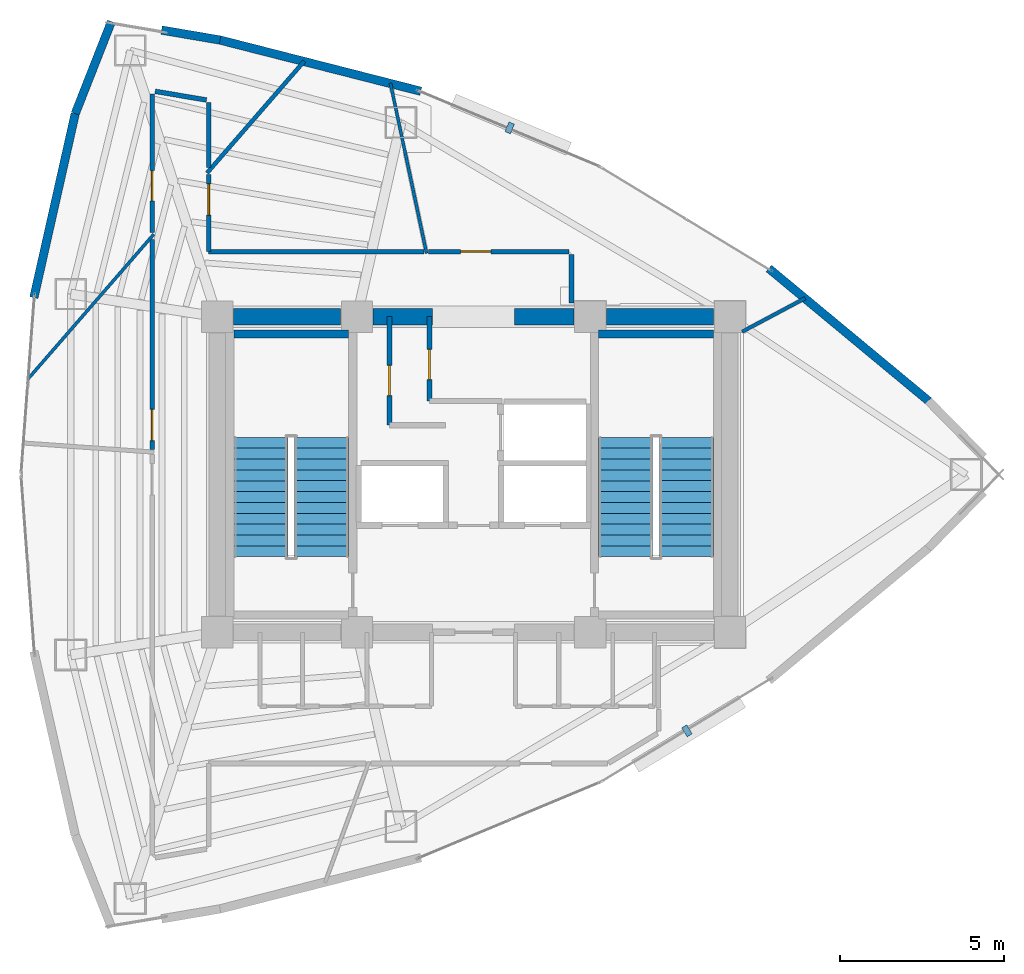
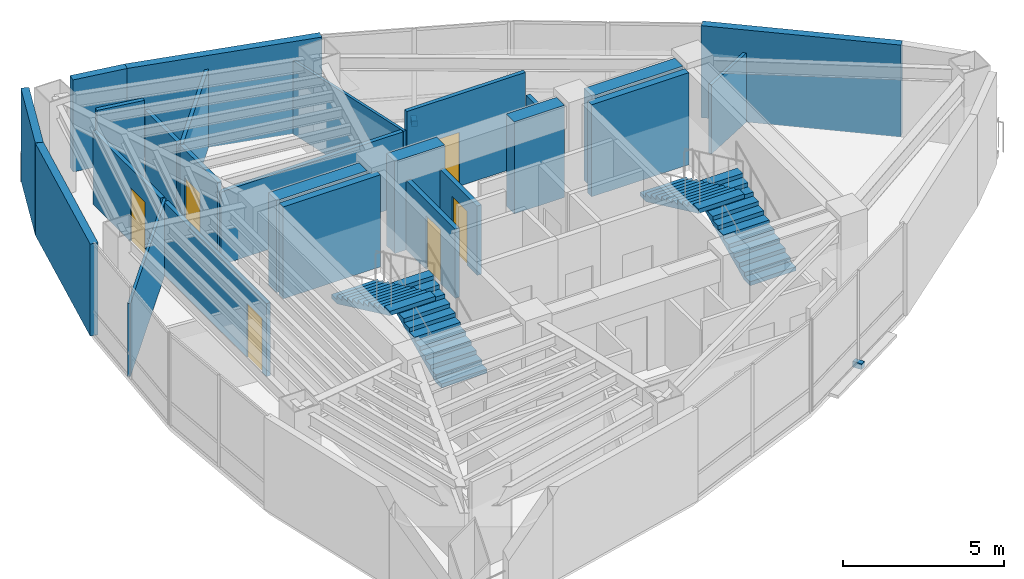
# One storey, part 13 of 15: 25 walls, 6 doors, 4 stair flights, 2 discrete accessories, 6 openings, 2 elements without a shape of their own.
"""IFC4 building model written with IfcOpenShell, lengths in metres."""

import ifcopenshell
import ifcopenshell.guid

model = None  # the IFC model being written
_history = None  # IfcOwnerHistory: only IFC2X3 demands one
_inside = {}  # id of a spatial element -> (the spatial element, [elements in it])
_under = {}  # id of a project, library or spatial element -> (it, [spatial elements below it])
_declared = {}  # id of a project -> (the project, [libraries it declares])
_typed = {}  # id of a type object -> (the type object, [elements of that type])
_made_of = {}  # id of a material, layer set ... -> (it, [elements and type objects made of it])


def new_model(schema):
    """Start an empty IFC model of exactly this schema.

    Asked for "IFC4X3", IfcOpenShell would pick the latest addendum, in which some entities
    have other attributes; the version numbers below select the first issue.
    IFC2X3 requires an IfcOwnerHistory on every rooted entity: one is made here for all.
    """
    global model, _history
    if schema == "IFC4X3":
        model = ifcopenshell.file(schema_version=(4, 3, 0, 0))
    else:
        model = ifcopenshell.file(schema=schema)
    _inside.clear()
    _under.clear()
    _declared.clear()
    _typed.clear()
    _made_of.clear()
    _history = None
    if model.schema == "IFC2X3":
        org = make("IfcOrganization", Name="unknown")
        user = make(
            "IfcPersonAndOrganization",
            ThePerson=make("IfcPerson", FamilyName="unknown"),
            TheOrganization=org,
        )
        app = make(
            "IfcApplication",
            ApplicationDeveloper=org,
            Version="unknown",
            ApplicationFullName="unknown",
            ApplicationIdentifier="unknown",
        )
        _history = make(
            "IfcOwnerHistory",
            OwningUser=user,
            OwningApplication=app,
            ChangeAction="ADDED",
            CreationDate=0,
        )
    return model


def make(cls, **values):
    """One entity of the class cls with the attributes given. An attribute that is None is left unset."""
    return model.create_entity(
        cls, **{name: value for name, value in values.items() if value is not None}
    )


def rooted(cls, **values):
    """An entity with a GlobalId (a new one), such as an element, a storey or a relation."""
    return make(cls, GlobalId=ifcopenshell.guid.new(), OwnerHistory=_history, **values)


def si_unit(unit_type, name, prefix=None):
    """IfcSIUnit, for example si_unit("LENGTHUNIT", "METRE", prefix="MILLI")."""
    return make("IfcSIUnit", UnitType=unit_type, Prefix=prefix, Name=name)


def assignment(units):
    """IfcUnitAssignment: the units of a project."""
    return None if units is None else make("IfcUnitAssignment", Units=units)


def point(xyz):
    """IfcCartesianPoint."""
    return None if xyz is None else make("IfcCartesianPoint", Coordinates=xyz)


def direction(xyz):
    """IfcDirection."""
    return None if xyz is None else make("IfcDirection", DirectionRatios=xyz)


def frame(location, z_axis=None, x_axis=None):
    """IfcAxis2Placement3D, a coordinate frame: its origin and axes. An axis left out is left unset."""
    return make(
        "IfcAxis2Placement3D",
        Location=point(location),
        Axis=direction(z_axis),
        RefDirection=direction(x_axis),
    )


def frame_2d(location, x_axis=None):
    """IfcAxis2Placement2D, a coordinate frame in the plane: its origin and x axis."""
    return make(
        "IfcAxis2Placement2D", Location=point(location), RefDirection=direction(x_axis)
    )


def origin():
    """The frame at (0, 0, 0) with its axes left unset."""
    return frame((0.0, 0.0, 0.0))


def origin_2d():
    """The frame at (0, 0) in the plane with its x axis left unset."""
    return frame_2d((0.0, 0.0))


def place(relative_to, where):
    """IfcLocalPlacement: puts the frame where relative to a parent placement (None: the world)."""
    return make(
        "IfcLocalPlacement", PlacementRelTo=relative_to, RelativePlacement=where
    )


def context(
    kind, dimensions, precision=None, world=None, true_north=None, identifier=None
):
    """IfcGeometricRepresentationContext, for example the 3D "Model" context."""
    return make(
        "IfcGeometricRepresentationContext",
        ContextIdentifier=identifier,
        ContextType=kind,
        CoordinateSpaceDimension=dimensions,
        Precision=precision,
        WorldCoordinateSystem=world,
        TrueNorth=true_north,
    )


def subcontext(parent, identifier, kind, view, scale=None):
    """IfcGeometricRepresentationSubContext, for example "Body" below "Model"."""
    return make(
        "IfcGeometricRepresentationSubContext",
        ContextIdentifier=identifier,
        ContextType=kind,
        ParentContext=parent,
        TargetScale=scale,
        TargetView=view,
    )


def project(units=None, contexts=None):
    """IfcProject with its units and contexts."""
    return rooted(
        "IfcProject",
        Name="project",
        RepresentationContexts=contexts,
        UnitsInContext=assignment(units),
    )


def spatial(cls, under=None, at=None, **own):
    """A site, building, storey or space (cls), placed at a placement, below another one or the project."""
    s = rooted(cls, ObjectPlacement=at, **own)
    if under is not None:
        _under.setdefault(under.id(), (under, []))[1].append(s)
    return s


def polyline(points):
    """IfcPolyline through the points."""
    return make("IfcPolyline", Points=[point(p) for p in points])


def profile(cls, at=None, kind="AREA", **sizes):
    """A parametric profile (cls). Its sizes go by their IFC names, for example OverallWidth=200.0."""
    return make(cls, ProfileType=kind, Position=at, **sizes)


def rectangle(**sizes):
    """IfcRectangleProfileDef."""
    return profile("IfcRectangleProfileDef", **sizes)


def outline(outer, holes=None, kind="AREA"):
    """IfcArbitraryClosedProfileDef: a profile drawn as a closed curve; with holes, ...WithVoids."""
    if holes is None:
        return make("IfcArbitraryClosedProfileDef", ProfileType=kind, OuterCurve=outer)
    return make(
        "IfcArbitraryProfileDefWithVoids",
        ProfileType=kind,
        OuterCurve=outer,
        InnerCurves=holes,
    )


def extrude(swept, where, along, depth):
    """IfcExtrudedAreaSolid: the profile swept, set in the frame where, extruded along a direction by depth."""
    return make(
        "IfcExtrudedAreaSolid",
        SweptArea=swept,
        Position=where,
        ExtrudedDirection=direction(along),
        Depth=depth,
    )


def shape(context_of_items, identifier, shape_type, items):
    """IfcShapeRepresentation: the items that make up one representation, for example the "Body"."""
    return make(
        "IfcShapeRepresentation",
        ContextOfItems=context_of_items,
        RepresentationIdentifier=identifier,
        RepresentationType=shape_type,
        Items=items,
    )


def material(Name=None, Category=None):
    """IfcMaterial."""
    return make("IfcMaterial", Name=Name, Category=Category)


def layer(
    of_material, thickness, ventilated=None, Name=None, Category=None, Priority=None
):
    """IfcMaterialLayer: one layer of a wall or slab, of a material (None: an air gap)."""
    return make(
        "IfcMaterialLayer",
        Material=of_material,
        LayerThickness=thickness,
        IsVentilated=ventilated,
        Name=Name,
        Category=Category,
        Priority=Priority,
    )


def layer_set(layers, Name=None):
    """IfcMaterialLayerSet."""
    return make("IfcMaterialLayerSet", MaterialLayers=layers, LayerSetName=Name)


def made_of(thing, what):
    """Note that an element or type object is made of a material, layer set ...; save() writes the relation."""
    if what is not None:
        _made_of.setdefault(what.id(), (what, []))[1].append(thing)
    return thing


def type_object(cls, material=None, **own):
    """A type object (cls), such as IfcWallType, which elements share."""
    return made_of(rooted(cls, **own), material)


def element(
    cls,
    number,
    at=None,
    inside=None,
    cuts=None,
    type_object=None,
    material=None,
    context=None,
    identifier="Body",
    shape_type=None,
    held_by="IfcProductDefinitionShape",
    body=None,
    shapes=None,
    **own,
):
    """One element of the class cls, such as IfcWall. Its Tag is "e" and its number.

    at: its placement. inside: the storey or other place that contains it. cuts: it is an
    opening in that element (IfcRelVoidsElement). A single representation is given by context,
    identifier, shape_type and body (its items); several are given by shapes. held_by: the class
    of the entity that holds the representations. save() writes the other relations.
    """
    e = rooted(cls, Tag="e%d" % number, ObjectPlacement=at, **own)
    if body is not None:
        shapes = [shape(context, identifier, shape_type, body)]
    if shapes is not None:
        e.Representation = make(held_by, Representations=shapes)
    if inside is not None:
        _inside.setdefault(inside.id(), (inside, []))[1].append(e)
    if cuts is not None:
        rooted(
            "IfcRelVoidsElement", RelatingBuildingElement=cuts, RelatedOpeningElement=e
        )
    if type_object is not None:
        _typed.setdefault(type_object.id(), (type_object, []))[1].append(e)
    return made_of(e, material)


def fill(opening, filler):
    """IfcRelFillsElement: the door or window that sits in an opening."""
    return rooted(
        "IfcRelFillsElement",
        RelatingOpeningElement=opening,
        RelatedBuildingElement=filler,
    )


def aggregate(whole, parts):
    """IfcRelAggregates: a whole, such as a stair, and the parts it consists of."""
    return rooted("IfcRelAggregates", RelatingObject=whole, RelatedObjects=parts)


def save(model, path):
    """Write the relations noted so far, then the file.

    IfcRelAggregates (storeys below a building ...), IfcRelContainedInSpatialStructure (elements
    in a storey), IfcRelDefinesByType, IfcRelAssociatesMaterial and IfcRelDeclares: one each for
    every whole, place, type object, material and project.
    """
    for whole, parts in _under.values():
        aggregate(whole, parts)
    for where, things in _inside.values():
        rooted(
            "IfcRelContainedInSpatialStructure",
            RelatedElements=things,
            RelatingStructure=where,
        )
    for kind, things in _typed.values():
        rooted("IfcRelDefinesByType", RelatedObjects=things, RelatingType=kind)
    for what, things in _made_of.values():
        rooted("IfcRelAssociatesMaterial", RelatedObjects=things, RelatingMaterial=what)
    for by, libraries in _declared.values():
        rooted("IfcRelDeclares", RelatingContext=by, RelatedDefinitions=libraries)
    model.write(path)


model = new_model("IFC4")

# Units and contexts
model_context = context("Model", 3, precision=1e-05, world=origin(), true_north=direction((0.0, 1.0)))
body_context = subcontext(model_context, "Body", "Model", "MODEL_VIEW")
ifc_project = project(units=[si_unit("LENGTHUNIT", "METRE"), si_unit("AREAUNIT", "SQUARE_METRE"), si_unit("VOLUMEUNIT", "CUBIC_METRE"), si_unit("PLANEANGLEUNIT", "RADIAN"), si_unit("MASSUNIT", "GRAM", prefix="KILO")], contexts=[model_context])

# Site, building, storey
site_placement = place(None, origin())
site = spatial("IfcSite", under=ifc_project, at=site_placement, CompositionType="ELEMENT")
building_placement = place(site_placement, origin())
building = spatial("IfcBuilding", under=site, at=building_placement, Name="Menara Vayukalpa", CompositionType="ELEMENT")
storey_placement = place(building_placement, frame((0.0, 0.0, 223.260009765625)))
storey = spatial("IfcBuildingStorey", under=building, at=storey_placement, Name="L56", CompositionType="ELEMENT", Elevation=223.260009765625)

# Walls
ifc_material_1 = material(Name="Concrete C60/75", Category="concrete")
ifc_layer_1 = layer(ifc_material_1, 0.5)
ifc_layer_set_1 = layer_set([ifc_layer_1], Name="Concrete C60/75")
wall_type_1 = type_object("IfcWallType", Name="WAL-CW500", PredefinedType="SHEAR", material=ifc_layer_set_1)
wall_1_placement = place(storey_placement, frame((18.294921875, 26.800048828125, 0.0), z_axis=(0.0, 0.0, 1.0), x_axis=(1.0, 0.0, 0.0)))
element("IfcWall", 1, at=wall_1_placement, inside=storey, type_object=wall_type_1, Name="L56 Buttressed Core Shear Wall CWN1", PredefinedType="SHEAR", context=body_context, shape_type="SweptSolid", body=[
    extrude(rectangle(XDim=3.260009765625, YDim=0.5, at=frame_2d((1.6298828125, 0.0))), origin(), (0.0, 0.0, 1.0), 3.5),
])
wall_2_placement = place(storey_placement, frame((22.544921875, 26.800048828125, 0.0), z_axis=(0.0, 0.0, 1.0), x_axis=(1.0, 0.0, 0.0)))
element("IfcWall", 2, at=wall_2_placement, inside=storey, type_object=wall_type_1, Name="L56 Buttressed Core Shear Wall CWN2", PredefinedType="SHEAR", context=body_context, shape_type="SweptSolid", body=[
    extrude(rectangle(XDim=1.80517578125, YDim=0.5, at=frame_2d((0.902587890625, 0.0))), origin(), (0.0, 0.0, 1.0), 3.5),
])
wall_3_placement = place(storey_placement, frame((26.85009765625, 26.800048828125, 0.0), z_axis=(0.0, 0.0, 1.0), x_axis=(1.0, 0.0, 0.0)))
element("IfcWall", 3, at=wall_3_placement, inside=storey, type_object=wall_type_1, Name="L56 Buttressed Core Shear Wall CWN3", PredefinedType="SHEAR", context=body_context, shape_type="SweptSolid", body=[
    extrude(rectangle(XDim=1.804931640625, YDim=0.5, at=frame_2d((0.90234375, 0.0))), origin(), (0.0, 0.0, 1.0), 3.5),
])
wall_4_placement = place(storey_placement, frame((29.64501953125, 26.800048828125, 0.0), z_axis=(0.0, 0.0, 1.0), x_axis=(1.0, 0.0, 0.0)))
element("IfcWall", 4, at=wall_4_placement, inside=storey, type_object=wall_type_1, Name="L56 Buttressed Core Shear Wall CWN4", PredefinedType="SHEAR", context=body_context, shape_type="SweptSolid", body=[
    extrude(rectangle(XDim=3.260009765625, YDim=0.5, at=frame_2d((1.6298828125, 0.0))), origin(), (0.0, 0.0, 1.0), 3.5),
])
ifc_material_2 = material(Name="Insulated Precast Concrete C40/50", Category="concrete")
ifc_layer_2 = layer(ifc_material_2, 0.260009765625)
ifc_layer_set_2 = layer_set([ifc_layer_2], Name="Insulated Precast Concrete C40/50")
wall_type_2 = type_object("IfcWallType", Name="WAL-EXT260", PredefinedType="PARTITIONING", material=ifc_layer_set_2)
wall_5_placement = place(storey_placement, frame((34.58251953125, 28.26953125, 0.0), z_axis=(0.0, 0.0, 1.0), x_axis=(0.769765373155, -0.638326930571, 0.0)))
element("IfcWall", 5, at=wall_5_placement, inside=storey, type_object=wall_type_2, Name="L56 Perimeter Terracotta Pier Wall 03", PredefinedType="PARTITIONING", context=body_context, shape_type="SweptSolid", body=[
    extrude(rectangle(XDim=6.3154296875, YDim=0.260009765625, at=frame_2d((3.15771484375, 0.0))), origin(), (0.0, 0.0, 1.0), 3.5),
])
wall_6_placement = place(storey_placement, frame((17.8759765625, 35.22216796875, 0.0), z_axis=(0.0, 0.0, 1.0), x_axis=(0.968976240439, -0.247153890246, 0.0)))
element("IfcWall", 6, at=wall_6_placement, inside=storey, type_object=wall_type_2, Name="L56 Perimeter Terracotta Pier Wall 06", PredefinedType="PARTITIONING", context=body_context, shape_type="SweptSolid", body=[
    extrude(rectangle(XDim=6.31494140625, YDim=0.260009765625, at=frame_2d((3.157470703125, 0.0))), origin(), (0.0, 0.0, 1.0), 3.5),
])
wall_7_placement = place(storey_placement, frame((16.10693359375, 35.52197265625, 0.0), z_axis=(0.0, 0.0, 1.0), x_axis=(0.985877723898, -0.167466753484, 0.0)))
element("IfcWall", 7, at=wall_7_placement, inside=storey, type_object=wall_type_2, Name="L56 Perimeter Terracotta Pier Wall 07", PredefinedType="PARTITIONING", context=body_context, shape_type="SweptSolid", body=[
    extrude(rectangle(XDim=1.80615234375, YDim=0.260009765625, at=frame_2d((0.903076171875, 0.0))), origin(), (0.0, 0.0, 1.0), 3.5),
])
wall_8_placement = place(storey_placement, frame((13.47900390625, 32.978515625, 0.0), z_axis=(0.0, 0.0, 1.0), x_axis=(0.365609724313, 0.930768246927, 0.0)))
element("IfcWall", 8, at=wall_8_placement, inside=storey, type_object=wall_type_2, Name="L56 Perimeter Terracotta Pier Wall 08", PredefinedType="PARTITIONING", context=body_context, shape_type="SweptSolid", body=[
    extrude(rectangle(XDim=3.010986328125, YDim=0.260009765625, at=frame_2d((1.50537109375, 0.0))), origin(), (0.0, 0.0, 1.0), 3.5),
])
wall_9_placement = place(storey_placement, frame((12.219970703125, 27.3818359375, 0.0), z_axis=(0.0, 0.0, 1.0), x_axis=(0.219475737697, 0.975617958303, 0.0)))
element("IfcWall", 9, at=wall_9_placement, inside=storey, type_object=wall_type_2, Name="L56 Perimeter Terracotta Pier Wall 09", PredefinedType="PARTITIONING", context=body_context, shape_type="SweptSolid", body=[
    extrude(rectangle(XDim=5.736572265625, YDim=0.260009765625, at=frame_2d((2.8681640625, 0.0))), origin(), (0.0, 0.0, 1.0), 3.5),
])

# Wall, opening, door
ifc_material_3 = material(Name="Lightweight Concrete Blockwork C16/20", Category="masonry")
ifc_layer_3 = layer(ifc_material_3, 0.159912109375)
ifc_layer_set_3 = layer_set([ifc_layer_3], Name="Lightweight Concrete Blockwork C16/20")
wall_type_3 = type_object("IfcWallType", Name="WAL-FR150", PredefinedType="PARTITIONING", material=ifc_layer_set_3)
wall_10_placement = place(storey_placement, frame((23.0400390625, 23.5, 0.0), z_axis=(0.0, 0.0, 1.0), x_axis=(0.0, 1.0, 0.0)))
wall_10 = element("IfcWall", 10, at=wall_10_placement, inside=storey, type_object=wall_type_3, Name="L56 Interior Partition IW-L56-LV7WB", PredefinedType="PARTITIONING", context=body_context, shape_type="SweptSolid", body=[
    extrude(rectangle(XDim=3.300048828125, YDim=0.159912109375, at=frame_2d((1.64990234375, 0.0))), origin(), (0.0, 0.0, 1.0), 2.6298828125),
])
opening_1_placement = place(wall_10_placement, frame((0.89990234375, 0.0, 0.0)))
opening_1 = element("IfcOpeningElement", 11, at=opening_1_placement, cuts=wall_10, Name="Opening ID6", PredefinedType="OPENING", context=body_context, shape_type="SweptSolid", body=[
    extrude(rectangle(XDim=0.919921875, YDim=2.050048828125, at=frame_2d((0.4599609375, 1.02490234375))), frame((0.0, 0.08984375, 0.0), z_axis=(0.0, -1.0, 0.0), x_axis=(1.0, 0.0, 0.0)), (0.0, 0.0, 1.0), 0.179931640625),
])
ifc_material_4 = material(Name="Acoustic Hardwood Veneer Timber Door", Category="wood")
door_type_1 = type_object("IfcDoorType", Name="DR-INT92", OperationType="NOTDEFINED", PredefinedType="DOOR", material=ifc_material_4)
door_1_placement = place(opening_1_placement, origin())
door_1 = element("IfcDoor", 12, at=door_1_placement, inside=storey, type_object=door_type_1, Name="L56 Interior Door DR-L56-LV7W", OperationType="SINGLE_SWING_RIGHT", OverallHeight=2.050048828125, OverallWidth=0.919921875, PredefinedType="DOOR", context=body_context, shape_type="SweptSolid", body=[
    extrude(rectangle(XDim=0.919921875, YDim=2.050048828125, at=frame_2d((0.4599609375, 1.02490234375))), frame((0.0, 0.02490234375, 0.0), z_axis=(0.0, -1.0, 0.0), x_axis=(1.0, 0.0, 0.0)), (0.0, 0.0, 1.0), 0.050048828125),
])
fill(opening_1, door_1)

wall_11_placement = place(storey_placement, frame((24.260009765625, 24.239990234375, 0.0), z_axis=(0.0, 0.0, 1.0), x_axis=(0.0, 1.0, 0.0)))
wall_11 = element("IfcWall", 13, at=wall_11_placement, inside=storey, type_object=wall_type_3, Name="L56 Interior Partition IW-L56-LV7EB", PredefinedType="PARTITIONING", context=body_context, shape_type="SweptSolid", body=[
    extrude(rectangle(XDim=2.56005859375, YDim=0.159912109375, at=frame_2d((1.280029296875, 0.0))), origin(), (0.0, 0.0, 1.0), 2.6298828125),
])
opening_2_placement = place(wall_11_placement, frame((0.64990234375, 0.0, 0.0)))
opening_2 = element("IfcOpeningElement", 14, at=opening_2_placement, cuts=wall_11, Name="Opening ID6", PredefinedType="OPENING", context=body_context, shape_type="SweptSolid", body=[
    extrude(rectangle(XDim=0.919921875, YDim=2.050048828125, at=frame_2d((0.4599609375, 1.02490234375))), frame((0.0, 0.08984375, 0.0), z_axis=(0.0, -1.0, 0.0), x_axis=(1.0, 0.0, 0.0)), (0.0, 0.0, 1.0), 0.179931640625),
])
door_2_placement = place(opening_2_placement, origin())
door_2 = element("IfcDoor", 15, at=door_2_placement, inside=storey, type_object=door_type_1, Name="L56 Interior Door DR-L56-LV7E", OperationType="SINGLE_SWING_LEFT", OverallHeight=2.050048828125, OverallWidth=0.919921875, PredefinedType="DOOR", context=body_context, shape_type="SweptSolid", body=[
    extrude(rectangle(XDim=0.919921875, YDim=2.050048828125, at=frame_2d((0.4599609375, 1.02490234375))), frame((0.0, 0.02490234375, 0.0), z_axis=(0.0, -1.0, 0.0), x_axis=(1.0, 0.0, 0.0)), (0.0, 0.0, 1.0), 0.050048828125),
])
fill(opening_2, door_2)

# Walls
ifc_material_5 = material(Name="Glazed Demountable Office Partition", Category="glass")
ifc_layer_4 = layer(ifc_material_5, 0.094970703125)
ifc_layer_set_4 = layer_set([ifc_layer_4], Name="Glazed Demountable Office Partition")
wall_type_4 = type_object("IfcWallType", Name="WAL-PT100", PredefinedType="PARTITIONING", material=ifc_layer_set_4)
wall_12_placement = place(storey_placement, frame((24.16943359375, 28.72998046875, 0.0), z_axis=(0.0, 0.0, 1.0), x_axis=(-0.207906743577, 0.978148652289, 0.0)))
element("IfcWall", 16, at=wall_12_placement, inside=storey, type_object=wall_type_4, Name="L56 Interior Partition IW-L56-RDIV02", PredefinedType="PARTITIONING", context=body_context, shape_type="SweptSolid", body=[
    extrude(rectangle(XDim=5.293701171875, YDim=0.094970703125, at=frame_2d((2.64697265625, 0.0))), origin(), (0.0, 0.0, 1.0), 2.780029296875),
])
wall_13_placement = place(storey_placement, frame((15.8701171875, 29.310302734375, 0.0), z_axis=(0.0, 0.0, 1.0), x_axis=(-0.656058606017, -0.754709947908, 0.0)))
element("IfcWall", 17, at=wall_13_placement, inside=storey, type_object=wall_type_4, Name="L56 Interior Partition IW-L56-RDIV06", PredefinedType="PARTITIONING", context=body_context, shape_type="SweptSolid", body=[
    extrude(rectangle(XDim=5.837890625, YDim=0.094970703125, at=frame_2d((2.9189453125, 0.0))), origin(), (0.0, 0.0, 1.0), 2.780029296875),
])
ifc_material_6 = material(Name="Acoustic Mineral Stud Partition", Category="masonry")
ifc_layer_5 = layer(ifc_material_6, 0.110107421875)
ifc_layer_set_5 = layer_set([ifc_layer_5], Name="Acoustic Mineral Stud Partition")
wall_type_5 = type_object("IfcWallType", Name="WAL-PT110", PredefinedType="PARTITIONING", material=ifc_layer_set_5)
wall_14_placement = place(storey_placement, frame((33.77001953125, 26.343994140625, 0.0), z_axis=(0.0, 0.0, 1.0), x_axis=(0.882914984083, 0.469532885837, 0.0)))
element("IfcWall", 18, at=wall_14_placement, inside=storey, type_object=wall_type_5, Name="L56 Interior Partition IW-L56-RDIV01", PredefinedType="PARTITIONING", context=body_context, shape_type="SweptSolid", body=[
    extrude(rectangle(XDim=2.174072265625, YDim=0.110107421875, at=frame_2d((1.0869140625, 0.0))), origin(), (0.0, 0.0, 1.0), 2.6298828125),
])
ifc_material_7 = material(Name="Gypsum Drywall Steel Stud Assembly", Category="steel")
ifc_layer_6 = layer(ifc_material_7, 0.125)
ifc_layer_set_6 = layer_set([ifc_layer_6], Name="Gypsum Drywall Steel Stud Assembly")
wall_type_6 = type_object("IfcWallType", Name="WAL-PT125", PredefinedType="PARTITIONING", material=ifc_layer_set_6)
wall_15_placement = place(storey_placement, frame((20.447998046875, 34.576416015625, 0.0), z_axis=(0.0, 0.0, 1.0), x_axis=(-0.656082183715, -0.754689451505, 0.0)))
element("IfcWall", 19, at=wall_15_placement, inside=storey, type_object=wall_type_6, Name="L56 Interior Partition IW-L56-RDIV05", PredefinedType="PARTITIONING", context=body_context, shape_type="SweptSolid", body=[
    extrude(rectangle(XDim=4.508544921875, YDim=0.125, at=frame_2d((2.25439453125, 0.0))), origin(), (0.0, 0.0, 1.0), 2.97998046875),
])
ifc_material_8 = material(Name="Gypsum Drywall Acoustic Stud Assembly", Category="masonry")
ifc_layer_7 = layer(ifc_material_8, 0.14501953125)
ifc_layer_set_7 = layer_set([ifc_layer_7], Name="Gypsum Drywall Acoustic Stud Assembly")
wall_type_7 = type_object("IfcWallType", Name="WAL-PT150", PredefinedType="PARTITIONING", material=ifc_layer_set_7)
wall_16_placement = place(storey_placement, frame((28.580078125, 27.219970703125, 0.0), z_axis=(0.0, 0.0, 1.0), x_axis=(0.0, 1.0, 0.0)))
element("IfcWall", 20, at=wall_16_placement, inside=storey, type_object=wall_type_7, Name="L56 Interior Partition IW-L56-CRM04-1", PredefinedType="PARTITIONING", context=body_context, shape_type="SweptSolid", body=[
    extrude(rectangle(XDim=1.47998046875, YDim=0.14501953125, at=frame_2d((0.739990234375, 0.0))), origin(), (0.0, 0.0, 1.0), 2.6298828125),
])

# Wall, opening, door
wall_17_placement = place(storey_placement, frame((28.5, 28.780029296875, 0.0), z_axis=(0.0, 0.0, 1.0), x_axis=(-1.0, 0.0, 0.0)))
wall_17 = element("IfcWall", 21, at=wall_17_placement, inside=storey, type_object=wall_type_7, Name="L56 Interior Partition IW-L56-CRM04-2", PredefinedType="PARTITIONING", context=body_context, shape_type="SweptSolid", body=[
    extrude(rectangle(XDim=4.26953125, YDim=0.14501953125, at=frame_2d((2.134765625, 0.0))), origin(), (0.0, 0.0, 1.0), 3.5),
])
opening_3_placement = place(wall_17_placement, frame((2.372314453125, 0.0, 0.0)))
opening_3 = element("IfcOpeningElement", 22, at=opening_3_placement, cuts=wall_17, Name="Opening ID6", PredefinedType="OPENING", context=body_context, shape_type="SweptSolid", body=[
    extrude(rectangle(XDim=0.919921875, YDim=2.050048828125, at=frame_2d((0.4599609375, 1.02490234375))), frame((0.0, 0.08251953125, 0.0), z_axis=(0.0, -1.0, 0.0), x_axis=(1.0, 0.0, 0.0)), (0.0, 0.0, 1.0), 0.1650390625),
])
door_3_placement = place(opening_3_placement, origin())
door_3 = element("IfcDoor", 23, at=door_3_placement, inside=storey, type_object=door_type_1, Name="L56 Interior Door DR-L56-RM04", OperationType="SINGLE_SWING_RIGHT", OverallHeight=2.050048828125, OverallWidth=0.919921875, PredefinedType="DOOR", context=body_context, shape_type="SweptSolid", body=[
    extrude(rectangle(XDim=0.919921875, YDim=2.050048828125, at=frame_2d((0.4599609375, 1.02490234375))), frame((0.0, 0.02490234375, 0.0), z_axis=(0.0, -1.0, 0.0), x_axis=(1.0, 0.0, 0.0)), (0.0, 0.0, 1.0), 0.050048828125),
])
fill(opening_3, door_3)

# Wall
wall_18_placement = place(storey_placement, frame((24.08740234375, 28.780029296875, 0.0), z_axis=(0.0, 0.0, 1.0), x_axis=(-1.0, 0.0, 0.0)))
element("IfcWall", 24, at=wall_18_placement, inside=storey, type_object=wall_type_7, Name="L56 Interior Partition IW-L56-CRM05-1", PredefinedType="PARTITIONING", context=body_context, shape_type="SweptSolid", body=[
    extrude(rectangle(XDim=6.54736328125, YDim=0.14501953125, at=frame_2d((3.273681640625, 0.0))), origin(), (0.0, 0.0, 1.0), 2.780029296875),
])

# Wall, opening, door
wall_19_placement = place(storey_placement, frame((17.5400390625, 28.780029296875, 0.0), z_axis=(0.0, 0.0, 1.0), x_axis=(0.0, 1.0, 0.0)))
wall_19 = element("IfcWall", 25, at=wall_19_placement, inside=storey, type_object=wall_type_7, Name="L56 Interior Partition IW-L56-CRM05-2", PredefinedType="PARTITIONING", context=body_context, shape_type="SweptSolid", body=[
    extrude(rectangle(XDim=2.344970703125, YDim=0.14501953125, at=frame_2d((1.17236328125, 0.0))), origin(), (0.0, 0.0, 1.0), 3.1298828125),
])
opening_4_placement = place(wall_19_placement, frame((1.114990234375, 0.0, 0.0)))
opening_4 = element("IfcOpeningElement", 26, at=opening_4_placement, cuts=wall_19, Name="Opening ID5", PredefinedType="OPENING", context=body_context, shape_type="SweptSolid", body=[
    extrude(rectangle(XDim=0.949951171875, YDim=2.06005859375, at=frame_2d((0.47509765625, 1.030029296875))), frame((0.0, 0.08251953125, 0.0), z_axis=(0.0, -1.0, 0.0), x_axis=(1.0, 0.0, 0.0)), (0.0, 0.0, 1.0), 0.1650390625),
])
ifc_material_9 = material(Name="Acoustic Hardwood Veneer Timber Door", Category="wood")
door_type_2 = type_object("IfcDoorType", Name="DR-INT95", OperationType="NOTDEFINED", PredefinedType="DOOR", material=ifc_material_9)
door_4_placement = place(opening_4_placement, origin())
door_4 = element("IfcDoor", 27, at=door_4_placement, inside=storey, type_object=door_type_2, Name="L56 Interior Door DR-L56-RM05", OperationType="SINGLE_SWING_LEFT", OverallHeight=2.06005859375, OverallWidth=0.949951171875, PredefinedType="DOOR", context=body_context, shape_type="SweptSolid", body=[
    extrude(rectangle(XDim=0.949951171875, YDim=2.06005859375, at=frame_2d((0.47509765625, 1.030029296875))), frame((0.0, 0.02490234375, 0.0), z_axis=(0.0, -1.0, 0.0), x_axis=(1.0, 0.0, 0.0)), (0.0, 0.0, 1.0), 0.050048828125),
])
fill(opening_4, door_4)

# Walls
wall_20_placement = place(storey_placement, frame((17.5400390625, 31.337890625, 0.0), z_axis=(0.0, 0.0, 1.0), x_axis=(0.0, 1.0, 0.0)))
element("IfcWall", 28, at=wall_20_placement, inside=storey, type_object=wall_type_7, Name="L56 Interior Partition IW-L56-CRM06-1", PredefinedType="PARTITIONING", context=body_context, shape_type="SweptSolid", body=[
    extrude(rectangle(XDim=1.976318359375, YDim=0.14501953125, at=frame_2d((0.98828125, 0.0))), origin(), (0.0, 0.0, 1.0), 3.1298828125),
])
wall_21_placement = place(storey_placement, frame((17.473388671875, 33.393310546875, 0.0), z_axis=(0.0, 0.0, 1.0), x_axis=(-0.985914419316, 0.167250583809, 0.0)))
element("IfcWall", 29, at=wall_21_placement, inside=storey, type_object=wall_type_7, Name="L56 Interior Partition IW-L56-CRM06-2", PredefinedType="PARTITIONING", context=body_context, shape_type="SweptSolid", body=[
    extrude(rectangle(XDim=1.582275390625, YDim=0.14501953125, at=frame_2d((0.791015625, 0.0))), origin(), (0.0, 0.0, 1.0), 3.5),
])

# Wall, opening, door
wall_22_placement = place(storey_placement, frame((15.820068359375, 33.5791015625, 0.0), z_axis=(0.0, 0.0, 1.0), x_axis=(0.0, -1.0, 0.0)))
wall_22 = element("IfcWall", 30, at=wall_22_placement, inside=storey, type_object=wall_type_7, Name="L56 Interior Partition IW-L56-CRM06-3", PredefinedType="PARTITIONING", context=body_context, shape_type="SweptSolid", body=[
    extrude(rectangle(XDim=4.219970703125, YDim=0.14501953125, at=frame_2d((2.10986328125, 0.0))), origin(), (0.0, 0.0, 1.0), 2.780029296875),
])
opening_5_placement = place(wall_22_placement, frame((2.3349609375, 0.0, 0.0)))
opening_5 = element("IfcOpeningElement", 31, at=opening_5_placement, cuts=wall_22, Name="Opening ID6", PredefinedType="OPENING", context=body_context, shape_type="SweptSolid", body=[
    extrude(rectangle(XDim=0.919921875, YDim=2.050048828125, at=frame_2d((0.4599609375, 1.02490234375))), frame((0.0, 0.08251953125, 0.0), z_axis=(0.0, -1.0, 0.0), x_axis=(1.0, 0.0, 0.0)), (0.0, 0.0, 1.0), 0.1650390625),
])
door_5_placement = place(opening_5_placement, origin())
door_5 = element("IfcDoor", 32, at=door_5_placement, inside=storey, type_object=door_type_1, Name="L56 Interior Door DR-L56-RM06", OperationType="SINGLE_SWING_RIGHT", OverallHeight=2.050048828125, OverallWidth=0.919921875, PredefinedType="DOOR", context=body_context, shape_type="SweptSolid", body=[
    extrude(rectangle(XDim=0.919921875, YDim=2.050048828125, at=frame_2d((0.4599609375, 1.02490234375))), frame((0.0, 0.02490234375, 0.0), z_axis=(0.0, -1.0, 0.0), x_axis=(1.0, 0.0, 0.0)), (0.0, 0.0, 1.0), 0.050048828125),
])
fill(opening_5, door_5)

wall_23_placement = place(storey_placement, frame((15.820068359375, 29.14599609375, 0.0), z_axis=(0.0, 0.0, 1.0), x_axis=(0.0, -1.0, 0.0)))
wall_23 = element("IfcWall", 33, at=wall_23_placement, inside=storey, type_object=wall_type_7, Name="L56 Interior Partition IW-L56-CRM07-1", PredefinedType="PARTITIONING", context=body_context, shape_type="SweptSolid", body=[
    extrude(rectangle(XDim=6.391845703125, YDim=0.14501953125, at=frame_2d((3.19580078125, 0.0))), origin(), (0.0, 0.0, 1.0), 2.780029296875),
])
opening_6_placement = place(wall_23_placement, frame((5.161865234375, 0.0, 0.0)))
opening_6 = element("IfcOpeningElement", 34, at=opening_6_placement, cuts=wall_23, Name="Opening ID5", PredefinedType="OPENING", context=body_context, shape_type="SweptSolid", body=[
    extrude(rectangle(XDim=0.949951171875, YDim=2.06005859375, at=frame_2d((0.47509765625, 1.030029296875))), frame((0.0, 0.08251953125, 0.0), z_axis=(0.0, -1.0, 0.0), x_axis=(1.0, 0.0, 0.0)), (0.0, 0.0, 1.0), 0.1650390625),
])
door_6_placement = place(opening_6_placement, origin())
door_6 = element("IfcDoor", 35, at=door_6_placement, inside=storey, type_object=door_type_2, Name="L56 Interior Door DR-L56-RM07", OperationType="SINGLE_SWING_LEFT", OverallHeight=2.06005859375, OverallWidth=0.949951171875, PredefinedType="DOOR", context=body_context, shape_type="SweptSolid", body=[
    extrude(rectangle(XDim=0.949951171875, YDim=2.06005859375, at=frame_2d((0.47509765625, 1.030029296875))), frame((0.0, 0.02490234375, 0.0), z_axis=(0.0, -1.0, 0.0), x_axis=(1.0, 0.0, 0.0)), (0.0, 0.0, 1.0), 0.050048828125),
])
fill(opening_6, door_6)

# Walls
ifc_material_10 = material(Name="Concrete C50/60", Category="concrete")
ifc_layer_8 = layer(ifc_material_10, 0.25)
ifc_layer_set_8 = layer_set([ifc_layer_8], Name="Concrete C50/60")
wall_type_8 = type_object("IfcWallType", Name="WAL-SW250", PredefinedType="SHEAR", material=ifc_layer_set_8)
for number, where, z_axis, x_axis, name in (
    (36, (18.303955078125, 26.27490234375, 0.0), (0.0, 0.0, 1.0), (1.0, 0.0, 0.0), "L56 ST1 Structural Stair Shaft Wall N"),
    (37, (29.39990234375, 26.27490234375, 0.0), (0.0, 0.0, 1.0), (1.0, 0.0, 0.0), "L56 ST2 Structural Stair Shaft Wall N"),
):
    element("IfcWall", number, at=place(storey_placement, frame(where, z_axis=z_axis, x_axis=x_axis)), inside=storey, type_object=wall_type_8, Name=name, PredefinedType="SHEAR", context=body_context, shape_type="SweptSolid", body=[
        extrude(rectangle(XDim=3.49609375, YDim=0.25, at=frame_2d((1.748046875, 0.0))), origin(), (0.0, 0.0, 1.0), 3.5),
    ])

# Stair, stair flights
ifc_material_11 = material(Name="Precast Concrete C40/50", Category="concrete")
stair_type = type_object("IfcStairType", Name="STR-T04", PredefinedType="DOUBLE_RETURN_STAIR", material=ifc_material_11)
stair_1_placement = place(storey_placement, origin())
stair_1 = element("IfcStair", 38, at=stair_1_placement, inside=storey, type_object=stair_type, Name="L56 Core Exit Stair ST-1", PredefinedType="DOUBLE_RETURN_STAIR")
ifc_material_12 = material(Name="Precast Concrete C40/50", Category="concrete")
stair_flight_type = type_object("IfcStairFlightType", Name="STF-T04", PredefinedType="STRAIGHT", material=ifc_material_12)
stair_flight_1_placement = place(storey_placement, frame((20.97509765625, 19.5, 0.0), z_axis=(0.0, 0.0, 1.0), x_axis=(0.0, 1.0, 0.0)))
stair_flight_1 = element("IfcStairFlight", 39, at=stair_flight_1_placement, type_object=stair_flight_type, Name="ST-1 flight 1", NumberOfRisers=12, NumberOfTreads=11, PredefinedType="STRAIGHT", RiserHeight=0.155, TreadLength=0.33, context=body_context, shape_type="SweptSolid", body=[
    extrude(outline(polyline([(0.0, 0.0), (0.0, 0.155029296875), (0.330078125, 0.155029296875), (0.330078125, 0.31005859375), (0.659912109375, 0.31005859375), (0.659912109375, 0.465087890625), (0.989990234375, 0.465087890625), (0.989990234375, 0.6201171875), (1.320068359375, 0.6201171875), (1.320068359375, 0.77490234375), (1.64990234375, 0.77490234375), (1.64990234375, 0.929931640625), (1.97998046875, 0.929931640625), (1.97998046875, 1.0849609375), (2.31005859375, 1.0849609375), (2.31005859375, 1.239990234375), (2.639892578125, 1.239990234375), (2.639892578125, 1.39501953125), (2.969970703125, 1.39501953125), (2.969970703125, 1.550048828125), (3.300048828125, 1.550048828125), (3.300048828125, 1.705078125), (3.6298828125, 1.705078125), (3.6298828125, 1.860107421875), (3.6298828125, 1.539306640625), (0.3525390625, 0.0), (0.0, 0.0)])), frame((0.0, 0.824951171875, 0.0), z_axis=(0.0, -1.0, 0.0), x_axis=(1.0, 0.0, 0.0)), (0.0, 0.0, 1.0), 1.64990234375),
])
stair_flight_2_placement = place(storey_placement, frame((19.125, 23.1298828125, 1.860107421875), z_axis=(0.0, 0.0, 1.0), x_axis=(0.0, -1.0, 0.0)))
stair_flight_2 = element("IfcStairFlight", 40, at=stair_flight_2_placement, type_object=stair_flight_type, Name="ST-1 flight 2", NumberOfRisers=12, NumberOfTreads=11, PredefinedType="STRAIGHT", RiserHeight=0.155, TreadLength=0.33, context=body_context, shape_type="SweptSolid", body=[
    extrude(outline(polyline([(0.0, 0.0), (0.0, 0.155029296875), (0.330078125, 0.155029296875), (0.330078125, 0.31005859375), (0.659912109375, 0.31005859375), (0.659912109375, 0.465087890625), (0.989990234375, 0.465087890625), (0.989990234375, 0.6201171875), (1.320068359375, 0.6201171875), (1.320068359375, 0.77490234375), (1.64990234375, 0.77490234375), (1.64990234375, 0.929931640625), (1.97998046875, 0.929931640625), (1.97998046875, 1.0849609375), (2.31005859375, 1.0849609375), (2.31005859375, 1.239990234375), (2.639892578125, 1.239990234375), (2.639892578125, 1.39501953125), (2.969970703125, 1.39501953125), (2.969970703125, 1.550048828125), (3.300048828125, 1.550048828125), (3.300048828125, 1.705078125), (3.6298828125, 1.705078125), (3.6298828125, 1.860107421875), (3.6298828125, 1.539306640625), (0.3525390625, 0.0), (0.0, 0.0)])), frame((0.0, 0.824951171875, 0.0), z_axis=(0.0, -1.0, 0.0), x_axis=(1.0, 0.0, 0.0)), (0.0, 0.0, 1.0), 1.64990234375),
])
aggregate(stair_1, [stair_flight_1, stair_flight_2])

stair_2_placement = place(storey_placement, origin())
stair_2 = element("IfcStair", 41, at=stair_2_placement, inside=storey, type_object=stair_type, Name="L56 Core Exit Stair ST-2", PredefinedType="DOUBLE_RETURN_STAIR")
stair_flight_3_placement = place(storey_placement, frame((32.074951171875, 19.5, 0.0), z_axis=(0.0, 0.0, 1.0), x_axis=(0.0, 1.0, 0.0)))
stair_flight_3 = element("IfcStairFlight", 42, at=stair_flight_3_placement, type_object=stair_flight_type, Name="ST-2 flight 1", NumberOfRisers=12, NumberOfTreads=11, PredefinedType="STRAIGHT", RiserHeight=0.155, TreadLength=0.33, context=body_context, shape_type="SweptSolid", body=[
    extrude(outline(polyline([(0.0, 0.0), (0.0, 0.155029296875), (0.330078125, 0.155029296875), (0.330078125, 0.31005859375), (0.659912109375, 0.31005859375), (0.659912109375, 0.465087890625), (0.989990234375, 0.465087890625), (0.989990234375, 0.6201171875), (1.320068359375, 0.6201171875), (1.320068359375, 0.77490234375), (1.64990234375, 0.77490234375), (1.64990234375, 0.929931640625), (1.97998046875, 0.929931640625), (1.97998046875, 1.0849609375), (2.31005859375, 1.0849609375), (2.31005859375, 1.239990234375), (2.639892578125, 1.239990234375), (2.639892578125, 1.39501953125), (2.969970703125, 1.39501953125), (2.969970703125, 1.550048828125), (3.300048828125, 1.550048828125), (3.300048828125, 1.705078125), (3.6298828125, 1.705078125), (3.6298828125, 1.860107421875), (3.6298828125, 1.539306640625), (0.3525390625, 0.0), (0.0, 0.0)])), frame((0.0, 0.824951171875, 0.0), z_axis=(0.0, -1.0, 0.0), x_axis=(1.0, 0.0, 0.0)), (0.0, 0.0, 1.0), 1.64990234375),
])
stair_flight_4_placement = place(storey_placement, frame((30.22509765625, 23.1298828125, 1.860107421875), z_axis=(0.0, 0.0, 1.0), x_axis=(0.0, -1.0, 0.0)))
stair_flight_4 = element("IfcStairFlight", 43, at=stair_flight_4_placement, type_object=stair_flight_type, Name="ST-2 flight 2", NumberOfRisers=12, NumberOfTreads=11, PredefinedType="STRAIGHT", RiserHeight=0.155, TreadLength=0.33, context=body_context, shape_type="SweptSolid", body=[
    extrude(outline(polyline([(0.0, 0.0), (0.0, 0.155029296875), (0.330078125, 0.155029296875), (0.330078125, 0.31005859375), (0.659912109375, 0.31005859375), (0.659912109375, 0.465087890625), (0.989990234375, 0.465087890625), (0.989990234375, 0.6201171875), (1.320068359375, 0.6201171875), (1.320068359375, 0.77490234375), (1.64990234375, 0.77490234375), (1.64990234375, 0.929931640625), (1.97998046875, 0.929931640625), (1.97998046875, 1.0849609375), (2.31005859375, 1.0849609375), (2.31005859375, 1.239990234375), (2.639892578125, 1.239990234375), (2.639892578125, 1.39501953125), (2.969970703125, 1.39501953125), (2.969970703125, 1.550048828125), (3.300048828125, 1.550048828125), (3.300048828125, 1.705078125), (3.6298828125, 1.705078125), (3.6298828125, 1.860107421875), (3.6298828125, 1.539306640625), (0.3525390625, 0.0), (0.0, 0.0)])), frame((0.0, 0.824951171875, 0.0), z_axis=(0.0, -1.0, 0.0), x_axis=(1.0, 0.0, 0.0)), (0.0, 0.0, 1.0), 1.64990234375),
])
aggregate(stair_2, [stair_flight_3, stair_flight_4])

# Discrete accessories
ifc_material_13 = material(Name="Stainless Steel 316 Sunshade Bracket", Category="steel")
discrete_accessory_type = type_object("IfcDiscreteAccessoryType", Name="ACC-BRK1", PredefinedType="BRACKET", material=ifc_material_13)
for number, where, z_axis, x_axis, name in (
    (44, (26.69775390625, 32.5458984375, -0.16015625), (0.0, 0.0, 1.0), (-0.922538089456, 0.385906042324, 0.0), "L56 Terracotta Sunshade Bracket 05"),
    (45, (32.091064453125, 14.20068359375, -0.16015625), (0.0, 0.0, 1.0), (0.85466730962, 0.519176068272, 0.0), "L56 Terracotta Sunshade Bracket 17"),
):
    element("IfcDiscreteAccessory", number, at=place(storey_placement, frame(where, z_axis=z_axis, x_axis=x_axis)), inside=storey, type_object=discrete_accessory_type, Name=name, PredefinedType="BRACKET", context=body_context, shape_type="SweptSolid", body=[
        extrude(rectangle(XDim=0.179931640625, YDim=0.320068359375, at=origin_2d()), origin(), (0.0, 0.0, 1.0), 0.219970703125),
    ])

save(model, "model.ifc")
